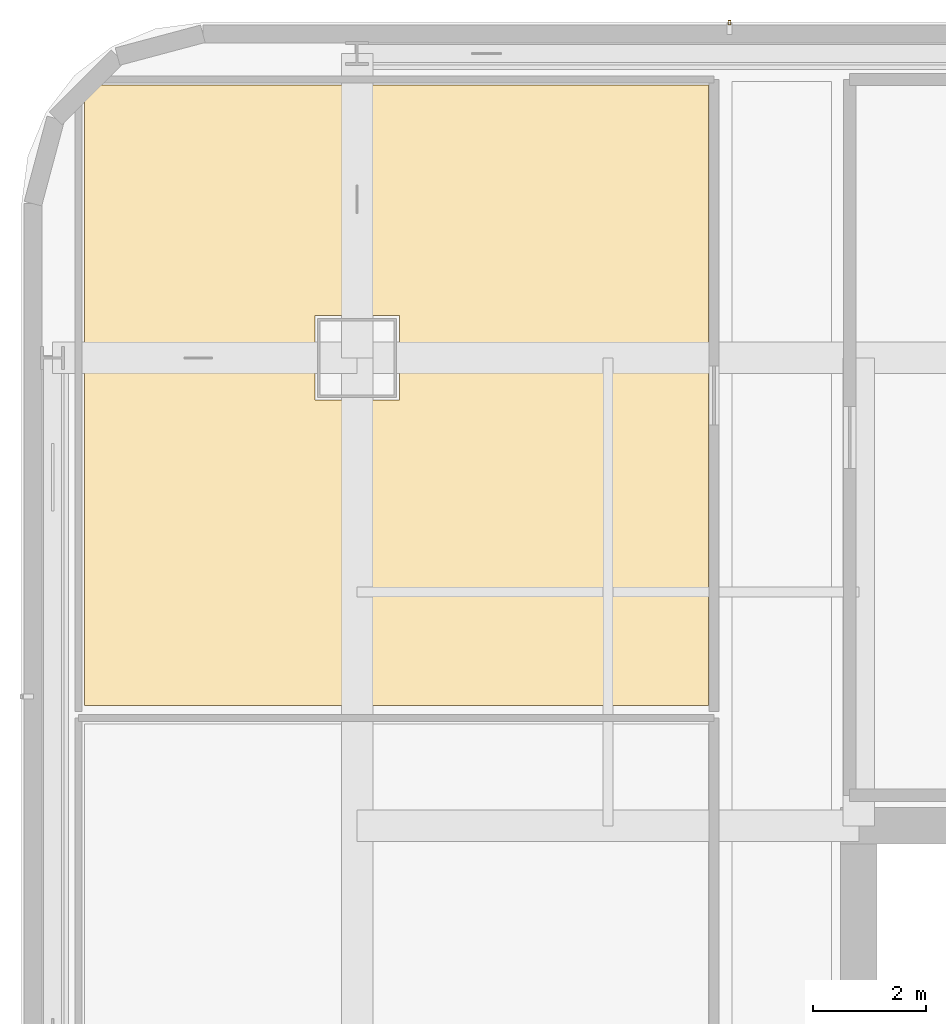
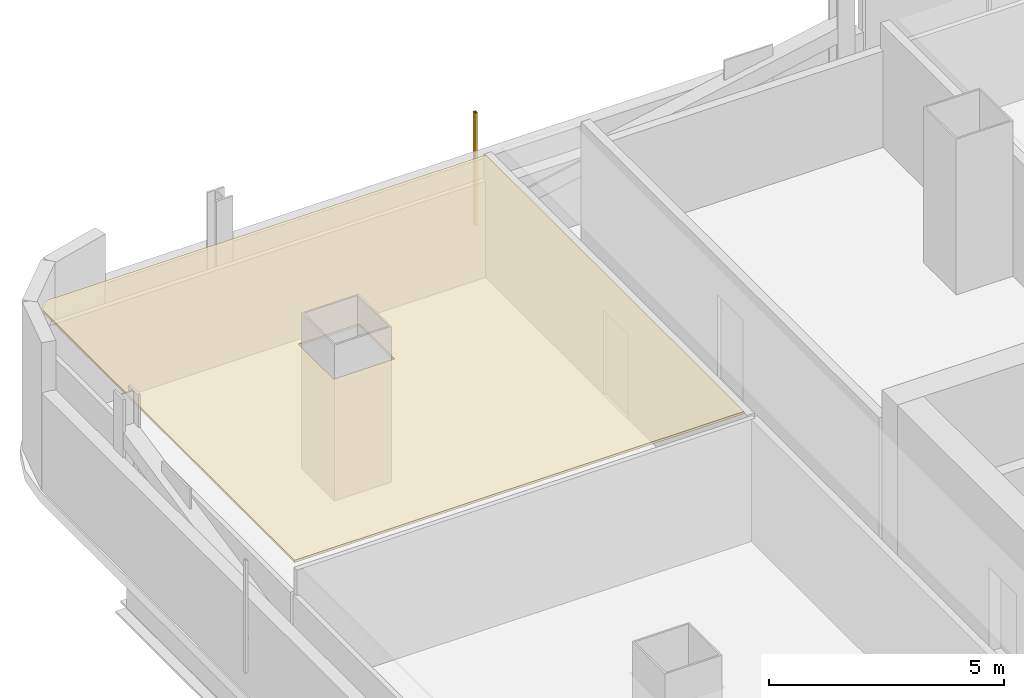
# One storey, part 30 of 32: 1 covering, 1 shading device.
"""IFC4 building model written with IfcOpenShell, lengths in metres."""

from ifc_helpers import new_model, si_unit, direction, frame, origin, origin_2d, place, context, subcontext, project, spatial, polyline, hollow_rectangle, outline, extrude, material, layer, layer_set, material_profile, profile_set, type_object, element, save


model = new_model("IFC4")

# Units and contexts
model_context = context("Model", 3, precision=1e-05, world=origin(), true_north=direction((0.0, 1.0)))
body_context = subcontext(model_context, "Body", "Model", "MODEL_VIEW")
ifc_project = project(units=[si_unit("LENGTHUNIT", "METRE"), si_unit("AREAUNIT", "SQUARE_METRE"), si_unit("VOLUMEUNIT", "CUBIC_METRE"), si_unit("PLANEANGLEUNIT", "RADIAN"), si_unit("MASSUNIT", "GRAM", prefix="KILO")], contexts=[model_context])

# Site, building, storey
site_placement = place(None, origin())
site = spatial("IfcSite", under=ifc_project, at=site_placement, CompositionType="ELEMENT")
building_placement = place(site_placement, origin())
building = spatial("IfcBuilding", under=site, at=building_placement, Name="Punatoya Terracotta Tower", CompositionType="ELEMENT")
storey_placement = place(building_placement, frame((0.0, 0.0, 139.800048828125)))
storey = spatial("IfcBuildingStorey", under=building, at=storey_placement, Name="L32", CompositionType="ELEMENT", Elevation=139.800048828125)

# Covering
ifc_material_1 = material(Name="Acoustic Mineral Fibre Ceiling")
ifc_layer = layer(ifc_material_1, 0.06005859375)
ifc_layer_set = layer_set([ifc_layer], Name="Acoustic Mineral Fibre Ceiling")
covering_type = type_object("IfcCoveringType", Name="COV-CEIL-60", PredefinedType="CEILING", material=ifc_layer_set)
covering_placement = place(storey_placement, frame((0.0, 0.0, 3.159912109375)))
element("IfcCovering", 1, at=covering_placement, inside=storey, type_object=covering_type, Name="L32 Open-Plan Client Briefing Office Acoustic Ceiling", PredefinedType="CEILING", context=body_context, shape_type="SweptSolid", body=[
    extrude(outline(polyline([(-23.93994140625, 11.330078125), (-12.8701171875, 11.330078125), (-12.8701171875, 22.340087890625), (-23.713623046875, 22.340087890625), (-23.841796875, 22.24169921875), (-23.93994140625, 22.113525390625), (-23.93994140625, 11.330078125)]), holes=[polyline([(-19.85009765625, 18.25), (-18.35009765625, 18.25), (-18.35009765625, 16.75), (-19.85009765625, 16.75), (-19.85009765625, 18.25)])]), origin(), (0.0, 0.0, 1.0), 0.06005859375),
])

# Shading device
ifc_material_2 = material(Name="Architectural Fired Terracotta", Category="masonry")
ifc_material_profile = material_profile(ifc_material_2, hollow_rectangle(XDim=0.06005859375, YDim=0.090087890625, WallThickness=0.013916015625, at=origin_2d()))
ifc_profile_set = profile_set([ifc_material_profile], Name="Architectural Fired Terracotta")
shading_device_type = type_object("IfcShadingDeviceType", Name="SHD-JALI-90", PredefinedType="JALOUSIE", material=ifc_profile_set)
shading_device_placement = place(storey_placement, frame((-12.493408203125, 23.449951171875, 0.599853515625), z_axis=(0.0, 0.0, 1.0), x_axis=(1.0, 0.0, 0.0)))
element("IfcShadingDevice", 2, at=shading_device_placement, inside=storey, type_object=shading_device_type, Name="L32 Braced Bay Terracotta Jali Fin N2", PredefinedType="JALOUSIE", context=body_context, shape_type="SweptSolid", body=[
    extrude(hollow_rectangle(XDim=0.06005859375, YDim=0.090087890625, WallThickness=0.013916015625, at=origin_2d()), origin(), (0.0, 0.0, 1.0), 2.93017578125),
])

save(model, "model.ifc")
